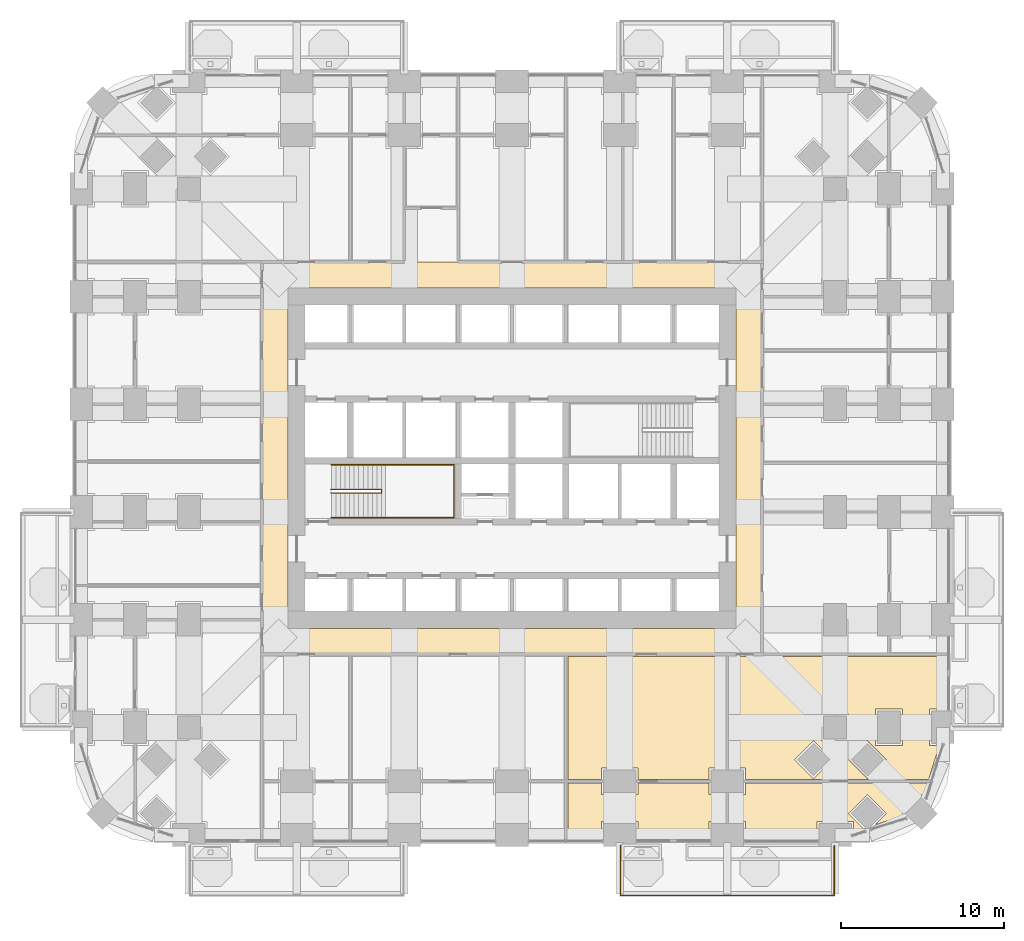
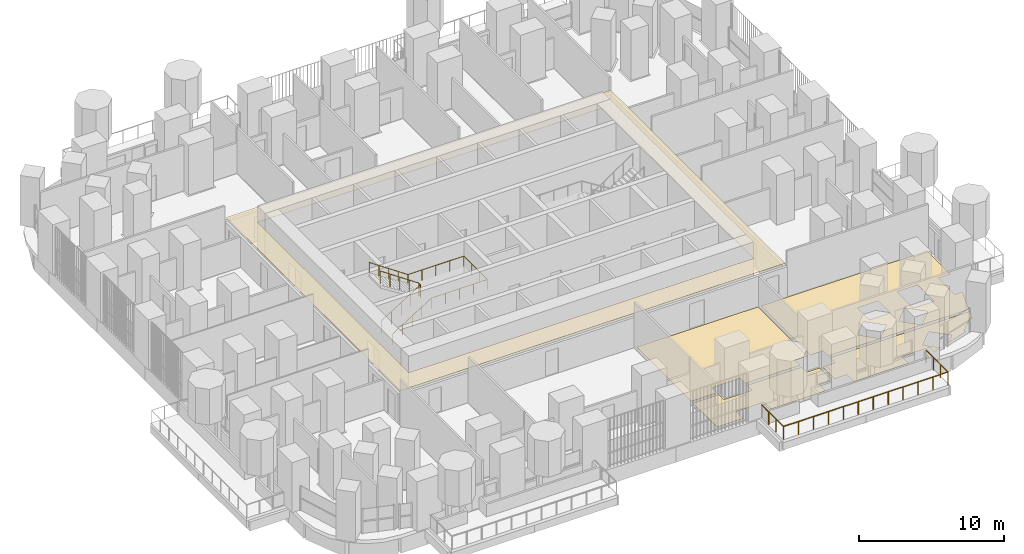
# One storey, part 23 of 27: 5 coverings, 3 railings.
"""IFC4 building model written with IfcOpenShell, lengths in metres."""

from ifc_helpers import new_model, si_unit, direction, frame, origin, place, context, subcontext, project, spatial, polyline, outline, extrude, material, layer, layer_set, type_object, element, save


model = new_model("IFC4")

# Units and contexts
model_context = context("Model", 3, precision=1e-05, world=origin(), true_north=direction((0.0, 1.0)))
body_context = subcontext(model_context, "Body", "Model", "MODEL_VIEW")
ifc_project = project(units=[si_unit("LENGTHUNIT", "METRE"), si_unit("AREAUNIT", "SQUARE_METRE"), si_unit("VOLUMEUNIT", "CUBIC_METRE"), si_unit("PLANEANGLEUNIT", "RADIAN"), si_unit("MASSUNIT", "GRAM", prefix="KILO")], contexts=[model_context])

# Site, building, storey
site_placement = place(None, origin())
site = spatial("IfcSite", under=ifc_project, at=site_placement, CompositionType="ELEMENT")
building_placement = place(site_placement, origin())
building = spatial("IfcBuilding", under=site, at=building_placement, Name="Cobogo Forest Laboratory Tower", CompositionType="ELEMENT")
storey_placement = place(building_placement, frame((0.0, 0.0, 71.699951171875)))
storey = spatial("IfcBuildingStorey", under=building, at=storey_placement, Name="L16", CompositionType="ELEMENT", Elevation=71.699951171875)

# Railing
ifc_material_1 = material(Name="Laminated glass balustrade", Category="glass")
railing_type_1 = type_object("IfcRailingType", Name="BG1 glass balustrade 1100", PredefinedType="GUARDRAIL", material=ifc_material_1)
railing_1_placement = place(storey_placement, frame((33.050048828125, -0.64990234375, 0.0)))
element("IfcRailing", 1, at=railing_1_placement, inside=storey, type_object=railing_type_1, Name="Balcony balustrade BAL-S2 L16", PredefinedType="GUARDRAIL", context=body_context, shape_type="SweptSolid", body=[
    extrude(outline(polyline([(0.022216796875, 0.00927734375), (0.00927734375, 0.022216796875), (-0.00927734375, 0.022216796875), (-0.022216796875, 0.00927734375), (-0.022216796875, -0.00927734375), (-0.00927734375, -0.022216796875), (0.00927734375, -0.022216796875), (0.022216796875, -0.00927734375), (0.022216796875, 0.00927734375)])), frame((0.0, 0.0, 1.077880859375), z_axis=(0.0, -1.0, 0.0), x_axis=(1.0, 0.0, 0.0)), (0.0, 0.0, 1.0), 3.050048828125),
    extrude(outline(polyline([(0.022216796875, 0.00927734375), (0.00927734375, 0.022216796875), (-0.00927734375, 0.022216796875), (-0.022216796875, 0.00927734375), (-0.022216796875, -0.00927734375), (-0.00927734375, -0.022216796875), (0.00927734375, -0.022216796875), (0.022216796875, -0.00927734375), (0.022216796875, 0.00927734375)])), frame((0.0, -3.050048828125, 1.077880859375), z_axis=(1.0, 0.0, 0.0), x_axis=(0.0, 1.0, 0.0)), (0.0, 0.0, 1.0), 13.099853515625),
    extrude(outline(polyline([(0.022216796875, 0.00927734375), (0.00927734375, 0.022216796875), (-0.00927734375, 0.022216796875), (-0.022216796875, 0.00927734375), (-0.022216796875, -0.00927734375), (-0.00927734375, -0.022216796875), (0.00927734375, -0.022216796875), (0.022216796875, -0.00927734375), (0.022216796875, 0.00927734375)])), frame((13.099853515625, -3.050048828125, 1.077880859375), z_axis=(0.0, 1.0, 0.0), x_axis=(-1.0, 0.0, 0.0)), (0.0, 0.0, 1.0), 3.050048828125),
    extrude(outline(polyline([(0.019287109375, 0.008056640625), (0.008056640625, 0.019287109375), (-0.008056640625, 0.019287109375), (-0.019287109375, 0.008056640625), (-0.019287109375, -0.008056640625), (-0.008056640625, -0.019287109375), (0.008056640625, -0.019287109375), (0.019287109375, -0.008056640625), (0.019287109375, 0.008056640625)])), origin(), (0.0, 0.0, 1.0), 1.077880859375),
    extrude(outline(polyline([(0.019287109375, 0.008056640625), (0.008056640625, 0.019287109375), (-0.008056640625, 0.019287109375), (-0.019287109375, 0.008056640625), (-0.019287109375, -0.008056640625), (-0.008056640625, -0.019287109375), (0.008056640625, -0.019287109375), (0.019287109375, -0.008056640625), (0.019287109375, 0.008056640625)])), frame((0.0, -1.0166015625, 0.0)), (0.0, 0.0, 1.0), 1.077880859375),
    extrude(outline(polyline([(0.019287109375, 0.008056640625), (0.008056640625, 0.019287109375), (-0.008056640625, 0.019287109375), (-0.019287109375, 0.008056640625), (-0.019287109375, -0.008056640625), (-0.008056640625, -0.019287109375), (0.008056640625, -0.019287109375), (0.019287109375, -0.008056640625), (0.019287109375, 0.008056640625)])), frame((0.0, -2.033447265625, 0.0)), (0.0, 0.0, 1.0), 1.077880859375),
    extrude(outline(polyline([(0.019287109375, 0.008056640625), (0.008056640625, 0.019287109375), (-0.008056640625, 0.019287109375), (-0.019287109375, 0.008056640625), (-0.019287109375, -0.008056640625), (-0.008056640625, -0.019287109375), (0.008056640625, -0.019287109375), (0.019287109375, -0.008056640625), (0.019287109375, 0.008056640625)])), frame((0.0, -3.050048828125, 0.0)), (0.0, 0.0, 1.0), 1.077880859375),
    extrude(outline(polyline([(0.019287109375, 0.008056640625), (0.008056640625, 0.019287109375), (-0.008056640625, 0.019287109375), (-0.019287109375, 0.008056640625), (-0.019287109375, -0.008056640625), (-0.008056640625, -0.019287109375), (0.008056640625, -0.019287109375), (0.019287109375, -0.008056640625), (0.019287109375, 0.008056640625)])), frame((1.19091796875, -3.050048828125, 0.0)), (0.0, 0.0, 1.0), 1.077880859375),
    extrude(outline(polyline([(0.019287109375, 0.008056640625), (0.008056640625, 0.019287109375), (-0.008056640625, 0.019287109375), (-0.019287109375, 0.008056640625), (-0.019287109375, -0.008056640625), (-0.008056640625, -0.019287109375), (0.008056640625, -0.019287109375), (0.019287109375, -0.008056640625), (0.019287109375, 0.008056640625)])), frame((2.3818359375, -3.050048828125, 0.0)), (0.0, 0.0, 1.0), 1.077880859375),
    extrude(outline(polyline([(0.019287109375, 0.008056640625), (0.008056640625, 0.019287109375), (-0.008056640625, 0.019287109375), (-0.019287109375, 0.008056640625), (-0.019287109375, -0.008056640625), (-0.008056640625, -0.019287109375), (0.008056640625, -0.019287109375), (0.019287109375, -0.008056640625), (0.019287109375, 0.008056640625)])), frame((3.57275390625, -3.050048828125, 0.0)), (0.0, 0.0, 1.0), 1.077880859375),
    extrude(outline(polyline([(0.019287109375, 0.008056640625), (0.008056640625, 0.019287109375), (-0.008056640625, 0.019287109375), (-0.019287109375, 0.008056640625), (-0.019287109375, -0.008056640625), (-0.008056640625, -0.019287109375), (0.008056640625, -0.019287109375), (0.019287109375, -0.008056640625), (0.019287109375, 0.008056640625)])), frame((4.763671875, -3.050048828125, 0.0)), (0.0, 0.0, 1.0), 1.077880859375),
    extrude(outline(polyline([(0.019287109375, 0.008056640625), (0.008056640625, 0.019287109375), (-0.008056640625, 0.019287109375), (-0.019287109375, 0.008056640625), (-0.019287109375, -0.008056640625), (-0.008056640625, -0.019287109375), (0.008056640625, -0.019287109375), (0.019287109375, -0.008056640625), (0.019287109375, 0.008056640625)])), frame((5.95458984375, -3.050048828125, 0.0)), (0.0, 0.0, 1.0), 1.077880859375),
    extrude(outline(polyline([(0.019287109375, 0.008056640625), (0.008056640625, 0.019287109375), (-0.008056640625, 0.019287109375), (-0.019287109375, 0.008056640625), (-0.019287109375, -0.008056640625), (-0.008056640625, -0.019287109375), (0.008056640625, -0.019287109375), (0.019287109375, -0.008056640625), (0.019287109375, 0.008056640625)])), frame((7.145263671875, -3.050048828125, 0.0)), (0.0, 0.0, 1.0), 1.077880859375),
    extrude(outline(polyline([(0.019287109375, 0.008056640625), (0.008056640625, 0.019287109375), (-0.008056640625, 0.019287109375), (-0.019287109375, 0.008056640625), (-0.019287109375, -0.008056640625), (-0.008056640625, -0.019287109375), (0.008056640625, -0.019287109375), (0.019287109375, -0.008056640625), (0.019287109375, 0.008056640625)])), frame((8.336181640625, -3.050048828125, 0.0)), (0.0, 0.0, 1.0), 1.077880859375),
    extrude(outline(polyline([(0.019287109375, 0.008056640625), (0.008056640625, 0.019287109375), (-0.008056640625, 0.019287109375), (-0.019287109375, 0.008056640625), (-0.019287109375, -0.008056640625), (-0.008056640625, -0.019287109375), (0.008056640625, -0.019287109375), (0.019287109375, -0.008056640625), (0.019287109375, 0.008056640625)])), frame((9.527099609375, -3.050048828125, 0.0)), (0.0, 0.0, 1.0), 1.077880859375),
    extrude(outline(polyline([(0.019287109375, 0.008056640625), (0.008056640625, 0.019287109375), (-0.008056640625, 0.019287109375), (-0.019287109375, 0.008056640625), (-0.019287109375, -0.008056640625), (-0.008056640625, -0.019287109375), (0.008056640625, -0.019287109375), (0.019287109375, -0.008056640625), (0.019287109375, 0.008056640625)])), frame((10.718017578125, -3.050048828125, 0.0)), (0.0, 0.0, 1.0), 1.077880859375),
    extrude(outline(polyline([(0.019287109375, 0.008056640625), (0.008056640625, 0.019287109375), (-0.008056640625, 0.019287109375), (-0.019287109375, 0.008056640625), (-0.019287109375, -0.008056640625), (-0.008056640625, -0.019287109375), (0.008056640625, -0.019287109375), (0.019287109375, -0.008056640625), (0.019287109375, 0.008056640625)])), frame((11.908935546875, -3.050048828125, 0.0)), (0.0, 0.0, 1.0), 1.077880859375),
    extrude(outline(polyline([(0.019287109375, 0.008056640625), (0.008056640625, 0.019287109375), (-0.008056640625, 0.019287109375), (-0.019287109375, 0.008056640625), (-0.019287109375, -0.008056640625), (-0.008056640625, -0.019287109375), (0.008056640625, -0.019287109375), (0.019287109375, -0.008056640625), (0.019287109375, 0.008056640625)])), frame((13.099853515625, -3.050048828125, 0.0)), (0.0, 0.0, 1.0), 1.077880859375),
    extrude(outline(polyline([(0.019287109375, 0.008056640625), (0.008056640625, 0.019287109375), (-0.008056640625, 0.019287109375), (-0.019287109375, 0.008056640625), (-0.019287109375, -0.008056640625), (-0.008056640625, -0.019287109375), (0.008056640625, -0.019287109375), (0.019287109375, -0.008056640625), (0.019287109375, 0.008056640625)])), frame((13.099853515625, -2.033447265625, 0.0)), (0.0, 0.0, 1.0), 1.077880859375),
    extrude(outline(polyline([(0.019287109375, 0.008056640625), (0.008056640625, 0.019287109375), (-0.008056640625, 0.019287109375), (-0.019287109375, 0.008056640625), (-0.019287109375, -0.008056640625), (-0.008056640625, -0.019287109375), (0.008056640625, -0.019287109375), (0.019287109375, -0.008056640625), (0.019287109375, 0.008056640625)])), frame((13.099853515625, -1.0166015625, 0.0)), (0.0, 0.0, 1.0), 1.077880859375),
    extrude(outline(polyline([(0.019287109375, 0.008056640625), (0.008056640625, 0.019287109375), (-0.008056640625, 0.019287109375), (-0.019287109375, 0.008056640625), (-0.019287109375, -0.008056640625), (-0.008056640625, -0.019287109375), (0.008056640625, -0.019287109375), (0.019287109375, -0.008056640625), (0.019287109375, 0.008056640625)])), frame((13.099853515625, 0.0, 0.0)), (0.0, 0.0, 1.0), 1.077880859375),
])

# Coverings
ifc_material_2 = material(Name="Mineral fibre ceiling tile", Category="ceiling")
ifc_layer_1 = layer(ifc_material_2, 0.02001953125)
ifc_layer_set_1 = layer_set([ifc_layer_1], Name="CL1 suspended ceiling")
covering_type_1 = type_object("IfcCoveringType", Name="CL1 suspended ceiling", PredefinedType="CEILING", material=ifc_layer_set_1)
covering_1_placement = place(storey_placement, frame((0.0, 0.0, 2.800048828125)))
element("IfcCovering", 2, at=covering_1_placement, inside=storey, type_object=covering_type_1, Name="Corridor ceiling L16", PredefinedType="CEILING", context=body_context, shape_type="SweptSolid", body=[
    extrude(outline(polyline([(11.074951171875, 11.074951171875), (11.074951171875, 35.125), (41.72509765625, 35.125), (41.72509765625, 11.074951171875), (11.074951171875, 11.074951171875)]), holes=[polyline([(40.125, 33.52490234375), (12.675048828125, 33.52490234375), (12.675048828125, 12.675048828125), (40.125, 12.675048828125), (40.125, 33.52490234375)])]), origin(), (0.0, 0.0, 1.0), 0.02001953125),
])
ifc_material_3 = material(Name="Carpet tile on raised access floor", Category="flooring")
ifc_layer_2 = layer(ifc_material_3, 0.008056640625)
ifc_layer_set_2 = layer_set([ifc_layer_2], Name="CT1 carpet tile floor 8")
covering_type_2 = type_object("IfcCoveringType", Name="CT1 carpet tile floor 8", PredefinedType="FLOORING", material=ifc_layer_set_2)
covering_2_placement = place(storey_placement, origin())
element("IfcCovering", 3, at=covering_2_placement, inside=storey, type_object=covering_type_2, Name="Carpet floor L16-06", PredefinedType="FLOORING", context=body_context, shape_type="SweptSolid", body=[
    extrude(outline(polyline([(31.8798828125, 3.179931640625), (31.8798828125, 2.47998046875), (34.1201171875, 2.47998046875), (34.1201171875, 3.179931640625), (38.47998046875, 3.179931640625), (38.47998046875, 2.47998046875), (39.47998046875, 2.47998046875), (39.47998046875, 0.820068359375), (38.47998046875, 0.820068359375), (38.47998046875, -0.14990234375), (34.1201171875, -0.14990234375), (34.1201171875, 0.820068359375), (31.8798828125, 0.820068359375), (31.8798828125, -0.14990234375), (29.820068359375, -0.14990234375), (29.820068359375, 3.179931640625), (31.8798828125, 3.179931640625)])), origin(), (0.0, 0.0, 1.0), 0.008056640625),
])
covering_3_placement = place(storey_placement, origin())
element("IfcCovering", 4, at=covering_3_placement, inside=storey, type_object=covering_type_2, Name="Carpet floor L16-08", PredefinedType="FLOORING", context=body_context, shape_type="SweptSolid", body=[
    extrude(outline(polyline([(51.8603515625, 3.179931640625), (51.600830078125, 2.358642578125), (51.48193359375, 2.477783203125), (50.322265625, 1.318115234375), (50.441162109375, 1.19921875), (48.660400390625, 0.63671875), (49.341552734375, 1.318115234375), (48.181884765625, 2.477783203125), (47.022216796875, 1.318115234375), (47.933349609375, 0.406982421875), (47.320068359375, 0.21337890625), (47.320068359375, 0.820068359375), (45.080078125, 0.820068359375), (45.080078125, -0.14990234375), (40.719970703125, -0.14990234375), (40.719970703125, 0.820068359375), (39.719970703125, 0.820068359375), (39.719970703125, 2.47998046875), (40.719970703125, 2.47998046875), (40.719970703125, 3.179931640625), (51.8603515625, 3.179931640625)])), origin(), (0.0, 0.0, 1.0), 0.008056640625),
])

# Railings
ifc_material_4 = material(Name="Steel balustrade", Category="steel")
railing_type_2 = type_object("IfcRailingType", Name="GR stair guard 1100", PredefinedType="GUARDRAIL", material=ifc_material_4)
railing_2_placement = place(storey_placement, frame((15.324951171875, 20.969970703125, 0.175048828125)))
element("IfcRailing", 5, at=railing_2_placement, inside=storey, type_object=railing_type_2, Name="Stair guard ST1 L16", PredefinedType="GUARDRAIL", context=body_context, shape_type="SweptSolid", body=[
    extrude(outline(polyline([(0.022216796875, 0.00927734375), (0.00927734375, 0.022216796875), (-0.00927734375, 0.022216796875), (-0.022216796875, 0.00927734375), (-0.022216796875, -0.00927734375), (-0.00927734375, -0.022216796875), (0.00927734375, -0.022216796875), (0.022216796875, -0.00927734375), (0.022216796875, 0.00927734375)])), frame((0.0, 0.0, 1.077880859375), z_axis=(0.847998304005, 0.0, 0.529998940003), x_axis=(0.0, 1.0, 0.0)), (0.0, 0.0, 1.0), 3.632080078125),
    extrude(outline(polyline([(0.022216796875, 0.00927734375), (0.00927734375, 0.022216796875), (-0.00927734375, 0.022216796875), (-0.022216796875, 0.00927734375), (-0.022216796875, -0.00927734375), (-0.00927734375, -0.022216796875), (0.00927734375, -0.022216796875), (0.022216796875, -0.00927734375), (0.022216796875, 0.00927734375)])), frame((3.080078125, 0.0, 3.0029296875), z_axis=(0.0, 1.0, 0.0), x_axis=(-1.0, 0.0, 0.0)), (0.0, 0.0, 1.0), 0.2099609375),
    extrude(outline(polyline([(0.022216796875, 0.00927734375), (0.00927734375, 0.022216796875), (-0.00927734375, 0.022216796875), (-0.022216796875, 0.00927734375), (-0.022216796875, -0.00927734375), (-0.00927734375, -0.022216796875), (0.00927734375, -0.022216796875), (0.022216796875, -0.00927734375), (0.022216796875, 0.00927734375)])), frame((3.080078125, 0.2099609375, 3.0029296875), z_axis=(-0.826252282691, 0.0, 0.563300244406), x_axis=(0.0, -1.0, 0.0)), (0.0, 0.0, 1.0), 3.727783203125),
    extrude(outline(polyline([(0.019287109375, 0.008056640625), (0.008056640625, 0.019287109375), (-0.008056640625, 0.019287109375), (-0.019287109375, 0.008056640625), (-0.019287109375, -0.008056640625), (-0.008056640625, -0.019287109375), (0.008056640625, -0.019287109375), (0.019287109375, -0.008056640625), (0.019287109375, 0.008056640625)])), origin(), (0.0, 0.0, 1.0), 1.077880859375),
    extrude(outline(polyline([(0.019287109375, 0.008056640625), (0.008056640625, 0.019287109375), (-0.008056640625, 0.019287109375), (-0.019287109375, 0.008056640625), (-0.019287109375, -0.008056640625), (-0.008056640625, -0.019287109375), (0.008056640625, -0.019287109375), (0.019287109375, -0.008056640625), (0.019287109375, 0.008056640625)])), frame((0.77001953125, 0.0, 0.481201171875)), (0.0, 0.0, 1.0), 1.077880859375),
    extrude(outline(polyline([(0.019287109375, 0.008056640625), (0.008056640625, 0.019287109375), (-0.008056640625, 0.019287109375), (-0.019287109375, 0.008056640625), (-0.019287109375, -0.008056640625), (-0.008056640625, -0.019287109375), (0.008056640625, -0.019287109375), (0.019287109375, -0.008056640625), (0.019287109375, 0.008056640625)])), frame((1.5400390625, 0.0, 0.96240234375)), (0.0, 0.0, 1.0), 1.077880859375),
    extrude(outline(polyline([(0.019287109375, 0.008056640625), (0.008056640625, 0.019287109375), (-0.008056640625, 0.019287109375), (-0.019287109375, 0.008056640625), (-0.019287109375, -0.008056640625), (-0.008056640625, -0.019287109375), (0.008056640625, -0.019287109375), (0.019287109375, -0.008056640625), (0.019287109375, 0.008056640625)])), frame((2.31005859375, 0.0, 1.44384765625)), (0.0, 0.0, 1.0), 1.077880859375),
    extrude(outline(polyline([(0.019287109375, 0.008056640625), (0.008056640625, 0.019287109375), (-0.008056640625, 0.019287109375), (-0.019287109375, 0.008056640625), (-0.019287109375, -0.008056640625), (-0.008056640625, -0.019287109375), (0.008056640625, -0.019287109375), (0.019287109375, -0.008056640625), (0.019287109375, 0.008056640625)])), frame((3.080078125, 0.0, 1.925048828125)), (0.0, 0.0, 1.0), 1.077880859375),
    extrude(outline(polyline([(0.019287109375, 0.008056640625), (0.008056640625, 0.019287109375), (-0.008056640625, 0.019287109375), (-0.019287109375, 0.008056640625), (-0.019287109375, -0.008056640625), (-0.008056640625, -0.019287109375), (0.008056640625, -0.019287109375), (0.019287109375, -0.008056640625), (0.019287109375, 0.008056640625)])), frame((3.080078125, 0.2099609375, 1.925048828125)), (0.0, 0.0, 1.0), 1.077880859375),
    extrude(outline(polyline([(0.019287109375, 0.008056640625), (0.008056640625, 0.019287109375), (-0.008056640625, 0.019287109375), (-0.019287109375, 0.008056640625), (-0.019287109375, -0.008056640625), (-0.008056640625, -0.019287109375), (0.008056640625, -0.019287109375), (0.019287109375, -0.008056640625), (0.019287109375, 0.008056640625)])), frame((2.31005859375, 0.2099609375, 2.449951171875)), (0.0, 0.0, 1.0), 1.077880859375),
    extrude(outline(polyline([(0.019287109375, 0.008056640625), (0.008056640625, 0.019287109375), (-0.008056640625, 0.019287109375), (-0.019287109375, 0.008056640625), (-0.019287109375, -0.008056640625), (-0.008056640625, -0.019287109375), (0.008056640625, -0.019287109375), (0.019287109375, -0.008056640625), (0.019287109375, 0.008056640625)])), frame((1.5400390625, 0.2099609375, 2.97509765625)), (0.0, 0.0, 1.0), 1.077880859375),
    extrude(outline(polyline([(0.019287109375, 0.008056640625), (0.008056640625, 0.019287109375), (-0.008056640625, 0.019287109375), (-0.019287109375, 0.008056640625), (-0.019287109375, -0.008056640625), (-0.008056640625, -0.019287109375), (0.008056640625, -0.019287109375), (0.019287109375, -0.008056640625), (0.019287109375, 0.008056640625)])), frame((0.77001953125, 0.2099609375, 3.5)), (0.0, 0.0, 1.0), 1.077880859375),
    extrude(outline(polyline([(0.019287109375, 0.008056640625), (0.008056640625, 0.019287109375), (-0.008056640625, 0.019287109375), (-0.019287109375, 0.008056640625), (-0.019287109375, -0.008056640625), (-0.008056640625, -0.019287109375), (0.008056640625, -0.019287109375), (0.019287109375, -0.008056640625), (0.019287109375, 0.008056640625)])), frame((0.0, 0.2099609375, 4.02490234375)), (0.0, 0.0, 1.0), 1.077880859375),
])
ifc_material_5 = material(Name="Stainless steel handrail", Category="steel")
railing_type_3 = type_object("IfcRailingType", Name="HR handrail 900", PredefinedType="HANDRAIL", material=ifc_material_5)
railing_3_placement = place(storey_placement, frame((15.324951171875, 19.449951171875, 0.175048828125)))
element("IfcRailing", 6, at=railing_3_placement, inside=storey, type_object=railing_type_3, Name="Stair handrail ST1 L16", PredefinedType="HANDRAIL", context=body_context, shape_type="SweptSolid", body=[
    extrude(outline(polyline([(0.022216796875, 0.00927734375), (0.00927734375, 0.022216796875), (-0.00927734375, 0.022216796875), (-0.022216796875, 0.00927734375), (-0.022216796875, -0.00927734375), (-0.00927734375, -0.022216796875), (0.00927734375, -0.022216796875), (0.022216796875, -0.00927734375), (0.022216796875, 0.00927734375)])), frame((0.0, 0.0, 0.877685546875), z_axis=(0.847998304005, 0.0, 0.529998940003), x_axis=(0.0, 1.0, 0.0)), (0.0, 0.0, 1.0), 3.632080078125),
    extrude(outline(polyline([(0.022216796875, 0.00927734375), (0.00927734375, 0.022216796875), (-0.00927734375, 0.022216796875), (-0.022216796875, 0.00927734375), (-0.022216796875, -0.00927734375), (-0.00927734375, -0.022216796875), (0.00927734375, -0.022216796875), (0.022216796875, -0.00927734375), (0.022216796875, 0.00927734375)])), frame((3.080078125, 0.0, 2.802734375), z_axis=(1.0, 0.0, 0.0), x_axis=(0.0, 1.0, 0.0)), (0.0, 0.0, 1.0), 4.445068359375),
    extrude(outline(polyline([(0.022216796875, 0.00927734375), (0.00927734375, 0.022216796875), (-0.00927734375, 0.022216796875), (-0.022216796875, 0.00927734375), (-0.022216796875, -0.00927734375), (-0.00927734375, -0.022216796875), (0.00927734375, -0.022216796875), (0.022216796875, -0.00927734375), (0.022216796875, 0.00927734375)])), frame((7.525146484375, 0.0, 2.802734375), z_axis=(0.0, 1.0, 0.0), x_axis=(-1.0, 0.0, 0.0)), (0.0, 0.0, 1.0), 3.25),
    extrude(outline(polyline([(0.022216796875, 0.00927734375), (0.00927734375, 0.022216796875), (-0.00927734375, 0.022216796875), (-0.022216796875, 0.00927734375), (-0.022216796875, -0.00927734375), (-0.00927734375, -0.022216796875), (0.00927734375, -0.022216796875), (0.022216796875, -0.00927734375), (0.022216796875, 0.00927734375)])), frame((7.525146484375, 3.25, 2.802734375), z_axis=(-1.0, 0.0, 0.0), x_axis=(0.0, -1.0, 0.0)), (0.0, 0.0, 1.0), 4.445068359375),
    extrude(outline(polyline([(0.022216796875, 0.00927734375), (0.00927734375, 0.022216796875), (-0.00927734375, 0.022216796875), (-0.022216796875, 0.00927734375), (-0.022216796875, -0.00927734375), (-0.00927734375, -0.022216796875), (0.00927734375, -0.022216796875), (0.022216796875, -0.00927734375), (0.022216796875, 0.00927734375)])), frame((3.080078125, 3.25, 2.802734375), z_axis=(-0.826252282691, 0.0, 0.563300244406), x_axis=(0.0, -1.0, 0.0)), (0.0, 0.0, 1.0), 3.727783203125),
    extrude(outline(polyline([(0.019287109375, 0.008056640625), (0.008056640625, 0.019287109375), (-0.008056640625, 0.019287109375), (-0.019287109375, 0.008056640625), (-0.019287109375, -0.008056640625), (-0.008056640625, -0.019287109375), (0.008056640625, -0.019287109375), (0.019287109375, -0.008056640625), (0.019287109375, 0.008056640625)])), origin(), (0.0, 0.0, 1.0), 0.877685546875),
    extrude(outline(polyline([(0.019287109375, 0.008056640625), (0.008056640625, 0.019287109375), (-0.008056640625, 0.019287109375), (-0.019287109375, 0.008056640625), (-0.019287109375, -0.008056640625), (-0.008056640625, -0.019287109375), (0.008056640625, -0.019287109375), (0.019287109375, -0.008056640625), (0.019287109375, 0.008056640625)])), frame((0.77001953125, 0.0, 0.481201171875)), (0.0, 0.0, 1.0), 0.877685546875),
    extrude(outline(polyline([(0.019287109375, 0.008056640625), (0.008056640625, 0.019287109375), (-0.008056640625, 0.019287109375), (-0.019287109375, 0.008056640625), (-0.019287109375, -0.008056640625), (-0.008056640625, -0.019287109375), (0.008056640625, -0.019287109375), (0.019287109375, -0.008056640625), (0.019287109375, 0.008056640625)])), frame((1.5400390625, 0.0, 0.96240234375)), (0.0, 0.0, 1.0), 0.877685546875),
    extrude(outline(polyline([(0.019287109375, 0.008056640625), (0.008056640625, 0.019287109375), (-0.008056640625, 0.019287109375), (-0.019287109375, 0.008056640625), (-0.019287109375, -0.008056640625), (-0.008056640625, -0.019287109375), (0.008056640625, -0.019287109375), (0.019287109375, -0.008056640625), (0.019287109375, 0.008056640625)])), frame((2.31005859375, 0.0, 1.44384765625)), (0.0, 0.0, 1.0), 0.877685546875),
    extrude(outline(polyline([(0.019287109375, 0.008056640625), (0.008056640625, 0.019287109375), (-0.008056640625, 0.019287109375), (-0.019287109375, 0.008056640625), (-0.019287109375, -0.008056640625), (-0.008056640625, -0.019287109375), (0.008056640625, -0.019287109375), (0.019287109375, -0.008056640625), (0.019287109375, 0.008056640625)])), frame((3.080078125, 0.0, 1.925048828125)), (0.0, 0.0, 1.0), 0.877685546875),
    extrude(outline(polyline([(0.019287109375, 0.008056640625), (0.008056640625, 0.019287109375), (-0.008056640625, 0.019287109375), (-0.019287109375, 0.008056640625), (-0.019287109375, -0.008056640625), (-0.008056640625, -0.019287109375), (0.008056640625, -0.019287109375), (0.019287109375, -0.008056640625), (0.019287109375, 0.008056640625)])), frame((4.19140625, 0.0, 1.925048828125)), (0.0, 0.0, 1.0), 0.877685546875),
    extrude(outline(polyline([(0.019287109375, 0.008056640625), (0.008056640625, 0.019287109375), (-0.008056640625, 0.019287109375), (-0.019287109375, 0.008056640625), (-0.019287109375, -0.008056640625), (-0.008056640625, -0.019287109375), (0.008056640625, -0.019287109375), (0.019287109375, -0.008056640625), (0.019287109375, 0.008056640625)])), frame((5.302734375, 0.0, 1.925048828125)), (0.0, 0.0, 1.0), 0.877685546875),
    extrude(outline(polyline([(0.019287109375, 0.008056640625), (0.008056640625, 0.019287109375), (-0.008056640625, 0.019287109375), (-0.019287109375, 0.008056640625), (-0.019287109375, -0.008056640625), (-0.008056640625, -0.019287109375), (0.008056640625, -0.019287109375), (0.019287109375, -0.008056640625), (0.019287109375, 0.008056640625)])), frame((6.413818359375, 0.0, 1.925048828125)), (0.0, 0.0, 1.0), 0.877685546875),
    extrude(outline(polyline([(0.019287109375, 0.008056640625), (0.008056640625, 0.019287109375), (-0.008056640625, 0.019287109375), (-0.019287109375, 0.008056640625), (-0.019287109375, -0.008056640625), (-0.008056640625, -0.019287109375), (0.008056640625, -0.019287109375), (0.019287109375, -0.008056640625), (0.019287109375, 0.008056640625)])), frame((7.525146484375, 0.0, 1.925048828125)), (0.0, 0.0, 1.0), 0.877685546875),
    extrude(outline(polyline([(0.019287109375, 0.008056640625), (0.008056640625, 0.019287109375), (-0.008056640625, 0.019287109375), (-0.019287109375, 0.008056640625), (-0.019287109375, -0.008056640625), (-0.008056640625, -0.019287109375), (0.008056640625, -0.019287109375), (0.019287109375, -0.008056640625), (0.019287109375, 0.008056640625)])), frame((7.525146484375, 1.083251953125, 1.925048828125)), (0.0, 0.0, 1.0), 0.877685546875),
    extrude(outline(polyline([(0.019287109375, 0.008056640625), (0.008056640625, 0.019287109375), (-0.008056640625, 0.019287109375), (-0.019287109375, 0.008056640625), (-0.019287109375, -0.008056640625), (-0.008056640625, -0.019287109375), (0.008056640625, -0.019287109375), (0.019287109375, -0.008056640625), (0.019287109375, 0.008056640625)])), frame((7.525146484375, 2.166748046875, 1.925048828125)), (0.0, 0.0, 1.0), 0.877685546875),
    extrude(outline(polyline([(0.019287109375, 0.008056640625), (0.008056640625, 0.019287109375), (-0.008056640625, 0.019287109375), (-0.019287109375, 0.008056640625), (-0.019287109375, -0.008056640625), (-0.008056640625, -0.019287109375), (0.008056640625, -0.019287109375), (0.019287109375, -0.008056640625), (0.019287109375, 0.008056640625)])), frame((7.525146484375, 3.25, 1.925048828125)), (0.0, 0.0, 1.0), 0.877685546875),
    extrude(outline(polyline([(0.019287109375, 0.008056640625), (0.008056640625, 0.019287109375), (-0.008056640625, 0.019287109375), (-0.019287109375, 0.008056640625), (-0.019287109375, -0.008056640625), (-0.008056640625, -0.019287109375), (0.008056640625, -0.019287109375), (0.019287109375, -0.008056640625), (0.019287109375, 0.008056640625)])), frame((6.413818359375, 3.25, 1.925048828125)), (0.0, 0.0, 1.0), 0.877685546875),
    extrude(outline(polyline([(0.019287109375, 0.008056640625), (0.008056640625, 0.019287109375), (-0.008056640625, 0.019287109375), (-0.019287109375, 0.008056640625), (-0.019287109375, -0.008056640625), (-0.008056640625, -0.019287109375), (0.008056640625, -0.019287109375), (0.019287109375, -0.008056640625), (0.019287109375, 0.008056640625)])), frame((5.302734375, 3.25, 1.925048828125)), (0.0, 0.0, 1.0), 0.877685546875),
    extrude(outline(polyline([(0.019287109375, 0.008056640625), (0.008056640625, 0.019287109375), (-0.008056640625, 0.019287109375), (-0.019287109375, 0.008056640625), (-0.019287109375, -0.008056640625), (-0.008056640625, -0.019287109375), (0.008056640625, -0.019287109375), (0.019287109375, -0.008056640625), (0.019287109375, 0.008056640625)])), frame((4.19140625, 3.25, 1.925048828125)), (0.0, 0.0, 1.0), 0.877685546875),
    extrude(outline(polyline([(0.019287109375, 0.008056640625), (0.008056640625, 0.019287109375), (-0.008056640625, 0.019287109375), (-0.019287109375, 0.008056640625), (-0.019287109375, -0.008056640625), (-0.008056640625, -0.019287109375), (0.008056640625, -0.019287109375), (0.019287109375, -0.008056640625), (0.019287109375, 0.008056640625)])), frame((3.080078125, 3.25, 1.925048828125)), (0.0, 0.0, 1.0), 0.877685546875),
    extrude(outline(polyline([(0.019287109375, 0.008056640625), (0.008056640625, 0.019287109375), (-0.008056640625, 0.019287109375), (-0.019287109375, 0.008056640625), (-0.019287109375, -0.008056640625), (-0.008056640625, -0.019287109375), (0.008056640625, -0.019287109375), (0.019287109375, -0.008056640625), (0.019287109375, 0.008056640625)])), frame((2.31005859375, 3.25, 2.449951171875)), (0.0, 0.0, 1.0), 0.877685546875),
    extrude(outline(polyline([(0.019287109375, 0.008056640625), (0.008056640625, 0.019287109375), (-0.008056640625, 0.019287109375), (-0.019287109375, 0.008056640625), (-0.019287109375, -0.008056640625), (-0.008056640625, -0.019287109375), (0.008056640625, -0.019287109375), (0.019287109375, -0.008056640625), (0.019287109375, 0.008056640625)])), frame((1.5400390625, 3.25, 2.97509765625)), (0.0, 0.0, 1.0), 0.877685546875),
    extrude(outline(polyline([(0.019287109375, 0.008056640625), (0.008056640625, 0.019287109375), (-0.008056640625, 0.019287109375), (-0.019287109375, 0.008056640625), (-0.019287109375, -0.008056640625), (-0.008056640625, -0.019287109375), (0.008056640625, -0.019287109375), (0.019287109375, -0.008056640625), (0.019287109375, 0.008056640625)])), frame((0.77001953125, 3.25, 3.5)), (0.0, 0.0, 1.0), 0.877685546875),
    extrude(outline(polyline([(0.019287109375, 0.008056640625), (0.008056640625, 0.019287109375), (-0.008056640625, 0.019287109375), (-0.019287109375, 0.008056640625), (-0.019287109375, -0.008056640625), (-0.008056640625, -0.019287109375), (0.008056640625, -0.019287109375), (0.019287109375, -0.008056640625), (0.019287109375, 0.008056640625)])), frame((0.0, 3.25, 4.02490234375)), (0.0, 0.0, 1.0), 0.877685546875),
])

# Coverings
ifc_material_6 = material(Name="Epoxy resin flooring", Category="flooring")
ifc_layer_3 = layer(ifc_material_6, 0.00390625)
ifc_layer_set_3 = layer_set([ifc_layer_3], Name="LF1 epoxy laboratory floor 4")
covering_type_3 = type_object("IfcCoveringType", Name="LF1 epoxy laboratory floor 4", PredefinedType="FLOORING", material=ifc_layer_set_3)
covering_4_placement = place(storey_placement, origin())
element("IfcCovering", 7, at=covering_4_placement, inside=storey, type_object=covering_type_3, Name="Epoxy laboratory floor L16-05", PredefinedType="FLOORING", context=body_context, shape_type="SweptSolid", body=[
    extrude(outline(polyline([(29.820068359375, 10.955078125), (39.47998046875, 10.955078125), (39.47998046875, 4.1201171875), (38.47998046875, 4.1201171875), (38.47998046875, 3.419921875), (34.1201171875, 3.419921875), (34.1201171875, 4.1201171875), (31.8798828125, 4.1201171875), (31.8798828125, 3.419921875), (29.820068359375, 3.419921875), (29.820068359375, 10.955078125)])), origin(), (0.0, 0.0, 1.0), 0.004150390625),
])
covering_5_placement = place(storey_placement, origin())
element("IfcCovering", 8, at=covering_5_placement, inside=storey, type_object=covering_type_3, Name="Epoxy laboratory floor L16-07", PredefinedType="FLOORING", context=body_context, shape_type="SweptSolid", body=[
    extrude(outline(polyline([(39.719970703125, 10.955078125), (52.949951171875, 10.955078125), (52.949951171875, 7.719970703125), (51.97998046875, 7.719970703125), (51.97998046875, 5.47998046875), (52.586669921875, 5.47998046875), (51.93603515625, 3.419921875), (40.719970703125, 3.419921875), (40.719970703125, 4.1201171875), (39.719970703125, 4.1201171875), (39.719970703125, 10.955078125)]), holes=[polyline([(48.679931640625, 5.47998046875), (50.320068359375, 5.47998046875), (50.320068359375, 7.719970703125), (48.679931640625, 7.719970703125), (48.679931640625, 5.47998046875)]), polyline([(48.181884765625, 5.777587890625), (47.022216796875, 4.617919921875), (48.181884765625, 3.458251953125), (49.341552734375, 4.617919921875), (48.181884765625, 5.777587890625)]), polyline([(45.3798828125, 7.419921875), (45.3798828125, 5.780029296875), (47.02001953125, 5.780029296875), (47.02001953125, 7.419921875), (45.3798828125, 7.419921875)]), polyline([(44.882080078125, 5.777587890625), (43.722412109375, 4.617919921875), (44.882080078125, 3.458251953125), (46.041748046875, 4.617919921875), (44.882080078125, 5.777587890625)])]), origin(), (0.0, 0.0, 1.0), 0.004150390625),
])

save(model, "model.ifc")
